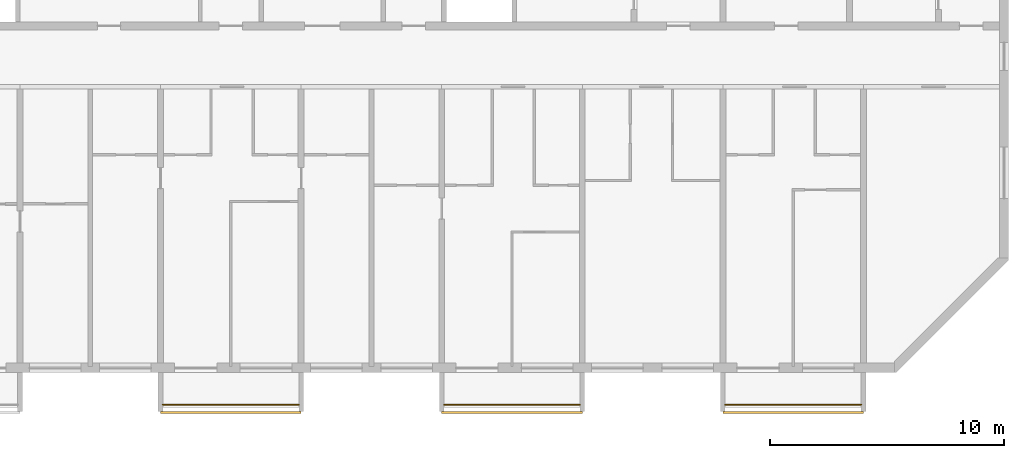
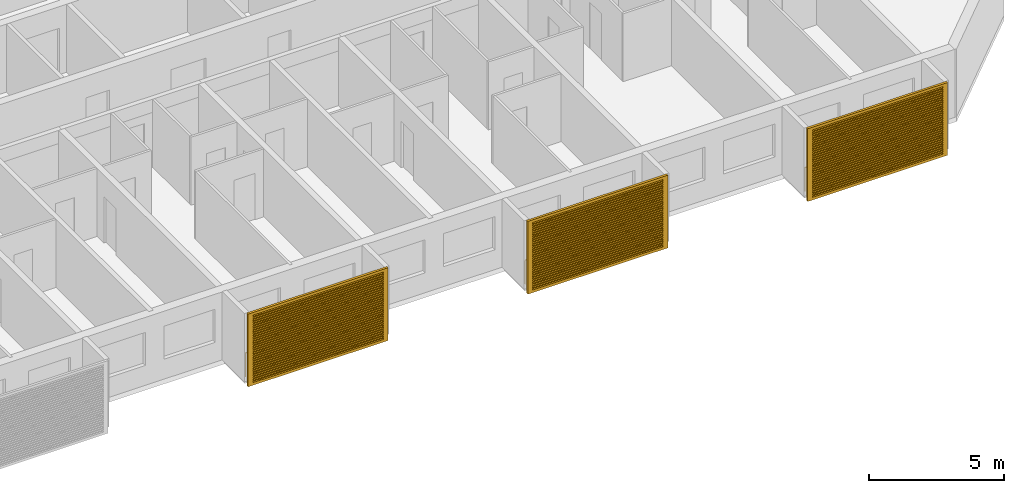
# One storey, part 13 of 26: 3 railings, 3 shading devices.
"""IFC4 building model written with IfcOpenShell, lengths in metres."""

import ifcopenshell
import ifcopenshell.guid

model = None  # the IFC model being written
_history = None  # IfcOwnerHistory: only IFC2X3 demands one
_inside = {}  # id of a spatial element -> (the spatial element, [elements in it])
_under = {}  # id of a project, library or spatial element -> (it, [spatial elements below it])
_declared = {}  # id of a project -> (the project, [libraries it declares])
_typed = {}  # id of a type object -> (the type object, [elements of that type])
_made_of = {}  # id of a material, layer set ... -> (it, [elements and type objects made of it])


def new_model(schema):
    """Start an empty IFC model of exactly this schema.

    Asked for "IFC4X3", IfcOpenShell would pick the latest addendum, in which some entities
    have other attributes; the version numbers below select the first issue.
    IFC2X3 requires an IfcOwnerHistory on every rooted entity: one is made here for all.
    """
    global model, _history
    if schema == "IFC4X3":
        model = ifcopenshell.file(schema_version=(4, 3, 0, 0))
    else:
        model = ifcopenshell.file(schema=schema)
    _inside.clear()
    _under.clear()
    _declared.clear()
    _typed.clear()
    _made_of.clear()
    _history = None
    if model.schema == "IFC2X3":
        org = make("IfcOrganization", Name="unknown")
        user = make(
            "IfcPersonAndOrganization",
            ThePerson=make("IfcPerson", FamilyName="unknown"),
            TheOrganization=org,
        )
        app = make(
            "IfcApplication",
            ApplicationDeveloper=org,
            Version="unknown",
            ApplicationFullName="unknown",
            ApplicationIdentifier="unknown",
        )
        _history = make(
            "IfcOwnerHistory",
            OwningUser=user,
            OwningApplication=app,
            ChangeAction="ADDED",
            CreationDate=0,
        )
    return model


def make(cls, **values):
    """One entity of the class cls with the attributes given. An attribute that is None is left unset."""
    return model.create_entity(
        cls, **{name: value for name, value in values.items() if value is not None}
    )


def rooted(cls, **values):
    """An entity with a GlobalId (a new one), such as an element, a storey or a relation."""
    return make(cls, GlobalId=ifcopenshell.guid.new(), OwnerHistory=_history, **values)


def si_unit(unit_type, name, prefix=None):
    """IfcSIUnit, for example si_unit("LENGTHUNIT", "METRE", prefix="MILLI")."""
    return make("IfcSIUnit", UnitType=unit_type, Prefix=prefix, Name=name)


def assignment(units):
    """IfcUnitAssignment: the units of a project."""
    return None if units is None else make("IfcUnitAssignment", Units=units)


def point(xyz):
    """IfcCartesianPoint."""
    return None if xyz is None else make("IfcCartesianPoint", Coordinates=xyz)


def direction(xyz):
    """IfcDirection."""
    return None if xyz is None else make("IfcDirection", DirectionRatios=xyz)


def frame(location, z_axis=None, x_axis=None):
    """IfcAxis2Placement3D, a coordinate frame: its origin and axes. An axis left out is left unset."""
    return make(
        "IfcAxis2Placement3D",
        Location=point(location),
        Axis=direction(z_axis),
        RefDirection=direction(x_axis),
    )


def frame_2d(location, x_axis=None):
    """IfcAxis2Placement2D, a coordinate frame in the plane: its origin and x axis."""
    return make(
        "IfcAxis2Placement2D", Location=point(location), RefDirection=direction(x_axis)
    )


def origin():
    """The frame at (0, 0, 0) with its axes left unset."""
    return frame((0.0, 0.0, 0.0))


def origin_2d():
    """The frame at (0, 0) in the plane with its x axis left unset."""
    return frame_2d((0.0, 0.0))


def place(relative_to, where):
    """IfcLocalPlacement: puts the frame where relative to a parent placement (None: the world)."""
    return make(
        "IfcLocalPlacement", PlacementRelTo=relative_to, RelativePlacement=where
    )


def context(
    kind, dimensions, precision=None, world=None, true_north=None, identifier=None
):
    """IfcGeometricRepresentationContext, for example the 3D "Model" context."""
    return make(
        "IfcGeometricRepresentationContext",
        ContextIdentifier=identifier,
        ContextType=kind,
        CoordinateSpaceDimension=dimensions,
        Precision=precision,
        WorldCoordinateSystem=world,
        TrueNorth=true_north,
    )


def subcontext(parent, identifier, kind, view, scale=None):
    """IfcGeometricRepresentationSubContext, for example "Body" below "Model"."""
    return make(
        "IfcGeometricRepresentationSubContext",
        ContextIdentifier=identifier,
        ContextType=kind,
        ParentContext=parent,
        TargetScale=scale,
        TargetView=view,
    )


def project(units=None, contexts=None):
    """IfcProject with its units and contexts."""
    return rooted(
        "IfcProject",
        Name="project",
        RepresentationContexts=contexts,
        UnitsInContext=assignment(units),
    )


def spatial(cls, under=None, at=None, **own):
    """A site, building, storey or space (cls), placed at a placement, below another one or the project."""
    s = rooted(cls, ObjectPlacement=at, **own)
    if under is not None:
        _under.setdefault(under.id(), (under, []))[1].append(s)
    return s


def polyline(points):
    """IfcPolyline through the points."""
    return make("IfcPolyline", Points=[point(p) for p in points])


def profile(cls, at=None, kind="AREA", **sizes):
    """A parametric profile (cls). Its sizes go by their IFC names, for example OverallWidth=200.0."""
    return make(cls, ProfileType=kind, Position=at, **sizes)


def circle(**sizes):
    """IfcCircleProfileDef."""
    return profile("IfcCircleProfileDef", **sizes)


def outline(outer, holes=None, kind="AREA"):
    """IfcArbitraryClosedProfileDef: a profile drawn as a closed curve; with holes, ...WithVoids."""
    if holes is None:
        return make("IfcArbitraryClosedProfileDef", ProfileType=kind, OuterCurve=outer)
    return make(
        "IfcArbitraryProfileDefWithVoids",
        ProfileType=kind,
        OuterCurve=outer,
        InnerCurves=holes,
    )


def extrude(swept, where, along, depth):
    """IfcExtrudedAreaSolid: the profile swept, set in the frame where, extruded along a direction by depth."""
    return make(
        "IfcExtrudedAreaSolid",
        SweptArea=swept,
        Position=where,
        ExtrudedDirection=direction(along),
        Depth=depth,
    )


def shape(context_of_items, identifier, shape_type, items):
    """IfcShapeRepresentation: the items that make up one representation, for example the "Body"."""
    return make(
        "IfcShapeRepresentation",
        ContextOfItems=context_of_items,
        RepresentationIdentifier=identifier,
        RepresentationType=shape_type,
        Items=items,
    )


def source(mapping_origin, context_of_items, identifier, shape_type, items):
    """IfcRepresentationMap: a shape defined once, which mapped items show again and again."""
    return make(
        "IfcRepresentationMap",
        MappingOrigin=mapping_origin,
        MappedRepresentation=shape(context_of_items, identifier, shape_type, items),
    )


def transform(
    local_origin,
    x_axis=None,
    y_axis=None,
    z_axis=None,
    scale=None,
    scale2=None,
    scale3=None,
    uniform=True,
):
    """IfcCartesianTransformationOperator3D, or its non-uniform kind. x_axis, y_axis, z_axis: its Axis1, 2, 3."""
    if uniform:
        return make(
            "IfcCartesianTransformationOperator3D",
            Axis1=direction(x_axis),
            Axis2=direction(y_axis),
            LocalOrigin=point(local_origin),
            Scale=scale,
            Axis3=direction(z_axis),
        )
    return make(
        "IfcCartesianTransformationOperator3DnonUniform",
        Axis1=direction(x_axis),
        Axis2=direction(y_axis),
        LocalOrigin=point(local_origin),
        Scale=scale,
        Axis3=direction(z_axis),
        Scale2=scale2,
        Scale3=scale3,
    )


def mapped(mapping_source, mapping_target):
    """IfcMappedItem: shows the shape of a source again, moved by a transform."""
    return make(
        "IfcMappedItem", MappingSource=mapping_source, MappingTarget=mapping_target
    )


def material(Name=None, Category=None):
    """IfcMaterial."""
    return make("IfcMaterial", Name=Name, Category=Category)


def material_profile(
    of_material, cross_section, Name=None, Category=None, Priority=None
):
    """IfcMaterialProfile: a cross section and its material."""
    return make(
        "IfcMaterialProfile",
        Name=Name,
        Material=of_material,
        Profile=cross_section,
        Priority=Priority,
        Category=Category,
    )


def profile_set(profiles, Name=None, composite=None):
    """IfcMaterialProfileSet."""
    return make(
        "IfcMaterialProfileSet",
        Name=Name,
        MaterialProfiles=profiles,
        CompositeProfile=composite,
    )


def made_of(thing, what):
    """Note that an element or type object is made of a material, layer set ...; save() writes the relation."""
    if what is not None:
        _made_of.setdefault(what.id(), (what, []))[1].append(thing)
    return thing


def type_object(cls, material=None, **own):
    """A type object (cls), such as IfcWallType, which elements share."""
    return made_of(rooted(cls, **own), material)


def element(
    cls,
    number,
    at=None,
    inside=None,
    cuts=None,
    type_object=None,
    material=None,
    context=None,
    identifier="Body",
    shape_type=None,
    held_by="IfcProductDefinitionShape",
    body=None,
    shapes=None,
    **own,
):
    """One element of the class cls, such as IfcWall. Its Tag is "e" and its number.

    at: its placement. inside: the storey or other place that contains it. cuts: it is an
    opening in that element (IfcRelVoidsElement). A single representation is given by context,
    identifier, shape_type and body (its items); several are given by shapes. held_by: the class
    of the entity that holds the representations. save() writes the other relations.
    """
    e = rooted(cls, Tag="e%d" % number, ObjectPlacement=at, **own)
    if body is not None:
        shapes = [shape(context, identifier, shape_type, body)]
    if shapes is not None:
        e.Representation = make(held_by, Representations=shapes)
    if inside is not None:
        _inside.setdefault(inside.id(), (inside, []))[1].append(e)
    if cuts is not None:
        rooted(
            "IfcRelVoidsElement", RelatingBuildingElement=cuts, RelatedOpeningElement=e
        )
    if type_object is not None:
        _typed.setdefault(type_object.id(), (type_object, []))[1].append(e)
    return made_of(e, material)


def aggregate(whole, parts):
    """IfcRelAggregates: a whole, such as a stair, and the parts it consists of."""
    return rooted("IfcRelAggregates", RelatingObject=whole, RelatedObjects=parts)


def save(model, path):
    """Write the relations noted so far, then the file.

    IfcRelAggregates (storeys below a building ...), IfcRelContainedInSpatialStructure (elements
    in a storey), IfcRelDefinesByType, IfcRelAssociatesMaterial and IfcRelDeclares: one each for
    every whole, place, type object, material and project.
    """
    for whole, parts in _under.values():
        aggregate(whole, parts)
    for where, things in _inside.values():
        rooted(
            "IfcRelContainedInSpatialStructure",
            RelatedElements=things,
            RelatingStructure=where,
        )
    for kind, things in _typed.values():
        rooted("IfcRelDefinesByType", RelatedObjects=things, RelatingType=kind)
    for what, things in _made_of.values():
        rooted("IfcRelAssociatesMaterial", RelatedObjects=things, RelatingMaterial=what)
    for by, libraries in _declared.values():
        rooted("IfcRelDeclares", RelatingContext=by, RelatedDefinitions=libraries)
    model.write(path)


model = new_model("IFC4")

# Units and contexts
model_context = context("Model", 3, precision=1e-05, world=origin(), true_north=direction((0.0, 1.0)))
body_context = subcontext(model_context, "Body", "Model", "MODEL_VIEW")
ifc_project = project(units=[si_unit("LENGTHUNIT", "METRE"), si_unit("AREAUNIT", "SQUARE_METRE"), si_unit("VOLUMEUNIT", "CUBIC_METRE"), si_unit("PLANEANGLEUNIT", "RADIAN"), si_unit("MASSUNIT", "GRAM", prefix="KILO")], contexts=[model_context])

# Site, building, storey
site_placement = place(None, origin())
site = spatial("IfcSite", under=ifc_project, at=site_placement, CompositionType="ELEMENT")
building_placement = place(site_placement, origin())
building = spatial("IfcBuilding", under=site, at=building_placement, Name="Poui Terraces", CompositionType="ELEMENT")
storey_placement = place(building_placement, frame((0.0, 0.0, 224.699951171875)))
storey = spatial("IfcBuildingStorey", under=building, at=storey_placement, Name="L62", CompositionType="ELEMENT", Elevation=224.699951171875)

# Railings
ifc_material_1 = material(Name="Painted steel fretwork", Category="steel")
railing_type = type_object("IfcRailingType", Name="BALCONY GUARD 1100", PredefinedType="GUARDRAIL", material=ifc_material_1)
for number, where, name in (
    (1, (48.10009765625, -1.570068359375, 0.0), "BALCONY GUARD"),
    (2, (60.10009765625, -1.570068359375, 0.0), "BALCONY GUARD"),
    (3, (72.10009765625, -1.570068359375, 0.0), "BALCONY GUARD"),
):
    element("IfcRailing", number, at=place(storey_placement, frame(where)), inside=storey, type_object=railing_type, Name=name, PredefinedType="GUARDRAIL", context=body_context, shape_type="SweptSolid", body=[
        extrude(circle(Radius=0.02392578125, at=origin_2d()), frame((0.0, 0.0, 1.076171875), z_axis=(1.0, 0.0, 0.0), x_axis=(0.0, 1.0, 0.0)), (0.0, 0.0, 1.0), 5.7998046875),
        extrude(circle(Radius=0.02099609375, at=origin_2d()), origin(), (0.0, 0.0, 1.0), 1.052001953125),
        extrude(circle(Radius=0.02099609375, at=origin_2d()), frame((0.966552734375, 0.0, 0.0)), (0.0, 0.0, 1.0), 1.052001953125),
        extrude(circle(Radius=0.02099609375, at=origin_2d()), frame((1.933349609375, 0.0, 0.0)), (0.0, 0.0, 1.0), 1.052001953125),
        extrude(circle(Radius=0.02099609375, at=origin_2d()), frame((2.89990234375, 0.0, 0.0)), (0.0, 0.0, 1.0), 1.052001953125),
        extrude(circle(Radius=0.02099609375, at=origin_2d()), frame((3.866455078125, 0.0, 0.0)), (0.0, 0.0, 1.0), 1.052001953125),
        extrude(circle(Radius=0.02099609375, at=origin_2d()), frame((4.833251953125, 0.0, 0.0)), (0.0, 0.0, 1.0), 1.052001953125),
        extrude(circle(Radius=0.02099609375, at=origin_2d()), frame((5.7998046875, 0.0, 0.0)), (0.0, 0.0, 1.0), 1.052001953125),
    ])

# Shading devices
ifc_material_2 = material(Name="Aluminium louvre", Category="aluminium")
ifc_material_profile = material_profile(ifc_material_2, outline(polyline([(-3.0, -1.64990234375), (3.0, -1.64990234375), (3.0, 1.64990234375), (-3.0, 1.64990234375), (-3.0, -1.64990234375)]), holes=[polyline([(-2.800048828125, -1.530029296875), (2.800048828125, -1.530029296875), (2.800048828125, -1.469970703125), (-2.800048828125, -1.469970703125), (-2.800048828125, -1.530029296875)]), polyline([(-2.800048828125, -1.429931640625), (2.800048828125, -1.429931640625), (2.800048828125, -1.3701171875), (-2.800048828125, -1.3701171875), (-2.800048828125, -1.429931640625)]), polyline([(-2.800048828125, -1.330078125), (2.800048828125, -1.330078125), (2.800048828125, -1.27001953125), (-2.800048828125, -1.27001953125), (-2.800048828125, -1.330078125)]), polyline([(-2.800048828125, -1.22998046875), (2.800048828125, -1.22998046875), (2.800048828125, -1.169921875), (-2.800048828125, -1.169921875), (-2.800048828125, -1.22998046875)]), polyline([(-2.800048828125, -1.1298828125), (2.800048828125, -1.1298828125), (2.800048828125, -1.070068359375), (-2.800048828125, -1.070068359375), (-2.800048828125, -1.1298828125)]), polyline([(-2.800048828125, -1.030029296875), (2.800048828125, -1.030029296875), (2.800048828125, -0.969970703125), (-2.800048828125, -0.969970703125), (-2.800048828125, -1.030029296875)]), polyline([(-2.800048828125, -0.929931640625), (2.800048828125, -0.929931640625), (2.800048828125, -0.8701171875), (-2.800048828125, -0.8701171875), (-2.800048828125, -0.929931640625)]), polyline([(-2.800048828125, -0.830078125), (2.800048828125, -0.830078125), (2.800048828125, -0.77001953125), (-2.800048828125, -0.77001953125), (-2.800048828125, -0.830078125)]), polyline([(-2.800048828125, -0.72998046875), (2.800048828125, -0.72998046875), (2.800048828125, -0.669921875), (-2.800048828125, -0.669921875), (-2.800048828125, -0.72998046875)]), polyline([(-2.800048828125, -0.6298828125), (2.800048828125, -0.6298828125), (2.800048828125, -0.570068359375), (-2.800048828125, -0.570068359375), (-2.800048828125, -0.6298828125)]), polyline([(-2.800048828125, -0.530029296875), (2.800048828125, -0.530029296875), (2.800048828125, -0.469970703125), (-2.800048828125, -0.469970703125), (-2.800048828125, -0.530029296875)]), polyline([(-2.800048828125, -0.429931640625), (2.800048828125, -0.429931640625), (2.800048828125, -0.3701171875), (-2.800048828125, -0.3701171875), (-2.800048828125, -0.429931640625)]), polyline([(-2.800048828125, -0.330078125), (2.800048828125, -0.330078125), (2.800048828125, -0.27001953125), (-2.800048828125, -0.27001953125), (-2.800048828125, -0.330078125)]), polyline([(-2.800048828125, -0.22998046875), (2.800048828125, -0.22998046875), (2.800048828125, -0.169921875), (-2.800048828125, -0.169921875), (-2.800048828125, -0.22998046875)]), polyline([(-2.800048828125, -0.1298828125), (2.800048828125, -0.1298828125), (2.800048828125, -0.070068359375), (-2.800048828125, -0.070068359375), (-2.800048828125, -0.1298828125)]), polyline([(-2.800048828125, -0.030029296875), (2.800048828125, -0.030029296875), (2.800048828125, 0.030029296875), (-2.800048828125, 0.030029296875), (-2.800048828125, -0.030029296875)]), polyline([(-2.800048828125, 0.070068359375), (2.800048828125, 0.070068359375), (2.800048828125, 0.1298828125), (-2.800048828125, 0.1298828125), (-2.800048828125, 0.070068359375)]), polyline([(-2.800048828125, 0.169921875), (2.800048828125, 0.169921875), (2.800048828125, 0.22998046875), (-2.800048828125, 0.22998046875), (-2.800048828125, 0.169921875)]), polyline([(-2.800048828125, 0.27001953125), (2.800048828125, 0.27001953125), (2.800048828125, 0.330078125), (-2.800048828125, 0.330078125), (-2.800048828125, 0.27001953125)]), polyline([(-2.800048828125, 0.3701171875), (2.800048828125, 0.3701171875), (2.800048828125, 0.429931640625), (-2.800048828125, 0.429931640625), (-2.800048828125, 0.3701171875)]), polyline([(-2.800048828125, 0.469970703125), (2.800048828125, 0.469970703125), (2.800048828125, 0.530029296875), (-2.800048828125, 0.530029296875), (-2.800048828125, 0.469970703125)]), polyline([(-2.800048828125, 0.570068359375), (2.800048828125, 0.570068359375), (2.800048828125, 0.6298828125), (-2.800048828125, 0.6298828125), (-2.800048828125, 0.570068359375)]), polyline([(-2.800048828125, 0.669921875), (2.800048828125, 0.669921875), (2.800048828125, 0.72998046875), (-2.800048828125, 0.72998046875), (-2.800048828125, 0.669921875)]), polyline([(-2.800048828125, 0.77001953125), (2.800048828125, 0.77001953125), (2.800048828125, 0.830078125), (-2.800048828125, 0.830078125), (-2.800048828125, 0.77001953125)]), polyline([(-2.800048828125, 0.8701171875), (2.800048828125, 0.8701171875), (2.800048828125, 0.929931640625), (-2.800048828125, 0.929931640625), (-2.800048828125, 0.8701171875)]), polyline([(-2.800048828125, 0.969970703125), (2.800048828125, 0.969970703125), (2.800048828125, 1.030029296875), (-2.800048828125, 1.030029296875), (-2.800048828125, 0.969970703125)]), polyline([(-2.800048828125, 1.070068359375), (2.800048828125, 1.070068359375), (2.800048828125, 1.1298828125), (-2.800048828125, 1.1298828125), (-2.800048828125, 1.070068359375)]), polyline([(-2.800048828125, 1.169921875), (2.800048828125, 1.169921875), (2.800048828125, 1.22998046875), (-2.800048828125, 1.22998046875), (-2.800048828125, 1.169921875)]), polyline([(-2.800048828125, 1.27001953125), (2.800048828125, 1.27001953125), (2.800048828125, 1.330078125), (-2.800048828125, 1.330078125), (-2.800048828125, 1.27001953125)]), polyline([(-2.800048828125, 1.3701171875), (2.800048828125, 1.3701171875), (2.800048828125, 1.429931640625), (-2.800048828125, 1.429931640625), (-2.800048828125, 1.3701171875)]), polyline([(-2.800048828125, 1.469970703125), (2.800048828125, 1.469970703125), (2.800048828125, 1.530029296875), (-2.800048828125, 1.530029296875), (-2.800048828125, 1.469970703125)])]), Name="JALOUSIE LOUVRE SHUTTER 6000X3300")
ifc_profile_set = profile_set([ifc_material_profile], Name="Aluminium louvre")
shading_device_type = type_object("IfcShadingDeviceType", Name="JALOUSIE LOUVRE SHUTTER 6000X3300", PredefinedType="JALOUSIE", material=ifc_profile_set)
shared_shape = source(origin(), body_context, "Body", "SweptSolid", [
    extrude(outline(polyline([(-3.0, -1.64990234375), (3.0, -1.64990234375), (3.0, 1.64990234375), (-3.0, 1.64990234375), (-3.0, -1.64990234375)]), holes=[polyline([(-2.800048828125, -1.530029296875), (2.800048828125, -1.530029296875), (2.800048828125, -1.469970703125), (-2.800048828125, -1.469970703125), (-2.800048828125, -1.530029296875)]), polyline([(-2.800048828125, -1.429931640625), (2.800048828125, -1.429931640625), (2.800048828125, -1.3701171875), (-2.800048828125, -1.3701171875), (-2.800048828125, -1.429931640625)]), polyline([(-2.800048828125, -1.330078125), (2.800048828125, -1.330078125), (2.800048828125, -1.27001953125), (-2.800048828125, -1.27001953125), (-2.800048828125, -1.330078125)]), polyline([(-2.800048828125, -1.22998046875), (2.800048828125, -1.22998046875), (2.800048828125, -1.169921875), (-2.800048828125, -1.169921875), (-2.800048828125, -1.22998046875)]), polyline([(-2.800048828125, -1.1298828125), (2.800048828125, -1.1298828125), (2.800048828125, -1.070068359375), (-2.800048828125, -1.070068359375), (-2.800048828125, -1.1298828125)]), polyline([(-2.800048828125, -1.030029296875), (2.800048828125, -1.030029296875), (2.800048828125, -0.969970703125), (-2.800048828125, -0.969970703125), (-2.800048828125, -1.030029296875)]), polyline([(-2.800048828125, -0.929931640625), (2.800048828125, -0.929931640625), (2.800048828125, -0.8701171875), (-2.800048828125, -0.8701171875), (-2.800048828125, -0.929931640625)]), polyline([(-2.800048828125, -0.830078125), (2.800048828125, -0.830078125), (2.800048828125, -0.77001953125), (-2.800048828125, -0.77001953125), (-2.800048828125, -0.830078125)]), polyline([(-2.800048828125, -0.72998046875), (2.800048828125, -0.72998046875), (2.800048828125, -0.669921875), (-2.800048828125, -0.669921875), (-2.800048828125, -0.72998046875)]), polyline([(-2.800048828125, -0.6298828125), (2.800048828125, -0.6298828125), (2.800048828125, -0.570068359375), (-2.800048828125, -0.570068359375), (-2.800048828125, -0.6298828125)]), polyline([(-2.800048828125, -0.530029296875), (2.800048828125, -0.530029296875), (2.800048828125, -0.469970703125), (-2.800048828125, -0.469970703125), (-2.800048828125, -0.530029296875)]), polyline([(-2.800048828125, -0.429931640625), (2.800048828125, -0.429931640625), (2.800048828125, -0.3701171875), (-2.800048828125, -0.3701171875), (-2.800048828125, -0.429931640625)]), polyline([(-2.800048828125, -0.330078125), (2.800048828125, -0.330078125), (2.800048828125, -0.27001953125), (-2.800048828125, -0.27001953125), (-2.800048828125, -0.330078125)]), polyline([(-2.800048828125, -0.22998046875), (2.800048828125, -0.22998046875), (2.800048828125, -0.169921875), (-2.800048828125, -0.169921875), (-2.800048828125, -0.22998046875)]), polyline([(-2.800048828125, -0.1298828125), (2.800048828125, -0.1298828125), (2.800048828125, -0.070068359375), (-2.800048828125, -0.070068359375), (-2.800048828125, -0.1298828125)]), polyline([(-2.800048828125, -0.030029296875), (2.800048828125, -0.030029296875), (2.800048828125, 0.030029296875), (-2.800048828125, 0.030029296875), (-2.800048828125, -0.030029296875)]), polyline([(-2.800048828125, 0.070068359375), (2.800048828125, 0.070068359375), (2.800048828125, 0.1298828125), (-2.800048828125, 0.1298828125), (-2.800048828125, 0.070068359375)]), polyline([(-2.800048828125, 0.169921875), (2.800048828125, 0.169921875), (2.800048828125, 0.22998046875), (-2.800048828125, 0.22998046875), (-2.800048828125, 0.169921875)]), polyline([(-2.800048828125, 0.27001953125), (2.800048828125, 0.27001953125), (2.800048828125, 0.330078125), (-2.800048828125, 0.330078125), (-2.800048828125, 0.27001953125)]), polyline([(-2.800048828125, 0.3701171875), (2.800048828125, 0.3701171875), (2.800048828125, 0.429931640625), (-2.800048828125, 0.429931640625), (-2.800048828125, 0.3701171875)]), polyline([(-2.800048828125, 0.469970703125), (2.800048828125, 0.469970703125), (2.800048828125, 0.530029296875), (-2.800048828125, 0.530029296875), (-2.800048828125, 0.469970703125)]), polyline([(-2.800048828125, 0.570068359375), (2.800048828125, 0.570068359375), (2.800048828125, 0.6298828125), (-2.800048828125, 0.6298828125), (-2.800048828125, 0.570068359375)]), polyline([(-2.800048828125, 0.669921875), (2.800048828125, 0.669921875), (2.800048828125, 0.72998046875), (-2.800048828125, 0.72998046875), (-2.800048828125, 0.669921875)]), polyline([(-2.800048828125, 0.77001953125), (2.800048828125, 0.77001953125), (2.800048828125, 0.830078125), (-2.800048828125, 0.830078125), (-2.800048828125, 0.77001953125)]), polyline([(-2.800048828125, 0.8701171875), (2.800048828125, 0.8701171875), (2.800048828125, 0.929931640625), (-2.800048828125, 0.929931640625), (-2.800048828125, 0.8701171875)]), polyline([(-2.800048828125, 0.969970703125), (2.800048828125, 0.969970703125), (2.800048828125, 1.030029296875), (-2.800048828125, 1.030029296875), (-2.800048828125, 0.969970703125)]), polyline([(-2.800048828125, 1.070068359375), (2.800048828125, 1.070068359375), (2.800048828125, 1.1298828125), (-2.800048828125, 1.1298828125), (-2.800048828125, 1.070068359375)]), polyline([(-2.800048828125, 1.169921875), (2.800048828125, 1.169921875), (2.800048828125, 1.22998046875), (-2.800048828125, 1.22998046875), (-2.800048828125, 1.169921875)]), polyline([(-2.800048828125, 1.27001953125), (2.800048828125, 1.27001953125), (2.800048828125, 1.330078125), (-2.800048828125, 1.330078125), (-2.800048828125, 1.27001953125)]), polyline([(-2.800048828125, 1.3701171875), (2.800048828125, 1.3701171875), (2.800048828125, 1.429931640625), (-2.800048828125, 1.429931640625), (-2.800048828125, 1.3701171875)]), polyline([(-2.800048828125, 1.469970703125), (2.800048828125, 1.469970703125), (2.800048828125, 1.530029296875), (-2.800048828125, 1.530029296875), (-2.800048828125, 1.469970703125)])]), origin(), (0.0, 0.0, 1.0), 0.099853515625),
])
for number, where, z_axis, x_axis, name in (
    (4, (51.0, -1.85009765625, 1.449951171875), (0.0, -1.0, 0.0), (1.0, 0.0, 0.0), "JALOUSIE LOUVRE SHUTTER"),
    (5, (63.0, -1.85009765625, 1.449951171875), (0.0, -1.0, 0.0), (1.0, 0.0, 0.0), "JALOUSIE LOUVRE SHUTTER"),
    (6, (75.0, -1.85009765625, 1.449951171875), (0.0, -1.0, 0.0), (1.0, 0.0, 0.0), "JALOUSIE LOUVRE SHUTTER"),
):
    element("IfcShadingDevice", number, at=place(storey_placement, frame(where, z_axis=z_axis, x_axis=x_axis)), inside=storey, type_object=shading_device_type, Name=name, PredefinedType="JALOUSIE", context=body_context, shape_type="MappedRepresentation", body=[
        mapped(shared_shape, transform((0.0, 0.0, 0.0))),
    ])

save(model, "model.ifc")
